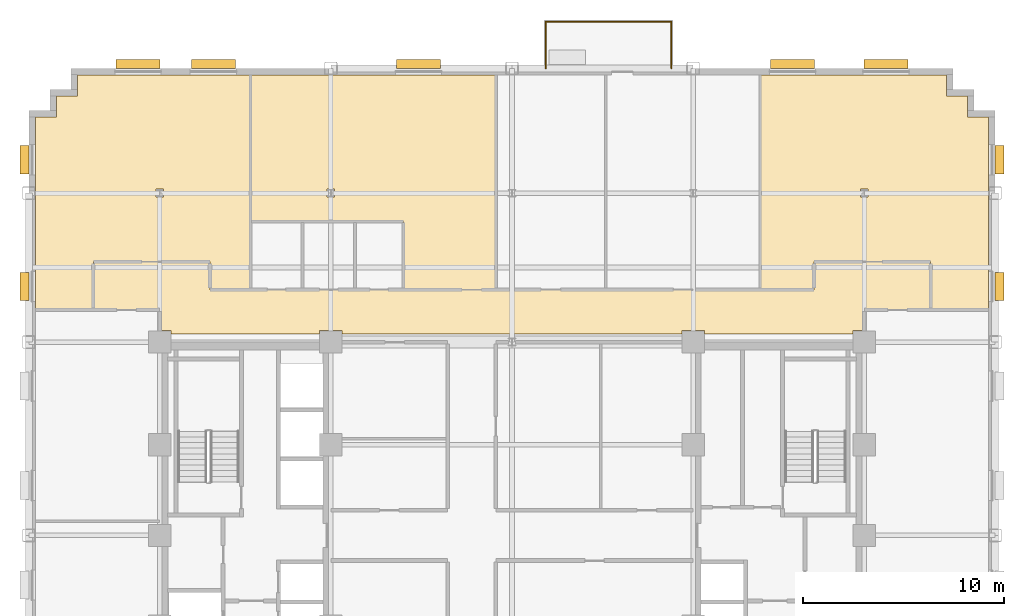
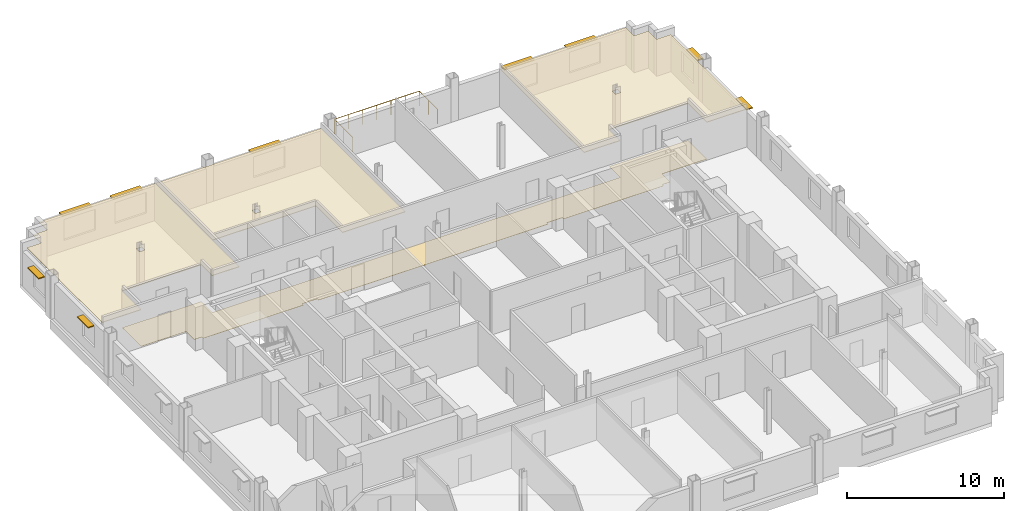
# One storey, part 14 of 14: 9 shading devices, 4 coverings, 1 railing.
"""IFC4 building model written with IfcOpenShell, lengths in metres."""

from ifc_helpers import new_model, si_unit, direction, frame, origin, origin_2d, place, context, subcontext, project, spatial, polyline, rectangle, circle, outline, extrude, source, transform, mapped, material, layer, layer_set, type_object, type_shapes, element, save


model = new_model("IFC4")

# Units and contexts
model_context = context("Model", 3, precision=1e-05, world=origin(), true_north=direction((0.0, 1.0)))
body_context = subcontext(model_context, "Body", "Model", "MODEL_VIEW")
ifc_project = project(units=[si_unit("LENGTHUNIT", "METRE"), si_unit("AREAUNIT", "SQUARE_METRE"), si_unit("VOLUMEUNIT", "CUBIC_METRE"), si_unit("PLANEANGLEUNIT", "RADIAN"), si_unit("MASSUNIT", "GRAM", prefix="KILO")], contexts=[model_context])

# Site, building, storey
site_placement = place(None, origin())
site = spatial("IfcSite", under=ifc_project, at=site_placement, CompositionType="ELEMENT")
building_placement = place(site_placement, origin())
building = spatial("IfcBuilding", under=site, at=building_placement, Name="Nuvemarco Arch Tower", CompositionType="ELEMENT")
storey_placement = place(building_placement, frame((0.0, 0.0, 98.300048828125)))
storey = spatial("IfcBuildingStorey", under=building, at=storey_placement, Name="L25", CompositionType="ELEMENT", Elevation=98.300048828125)

# Coverings
ifc_material_1 = material(Name="Mineral acoustic ceiling tile")
ifc_layer_1 = layer(ifc_material_1, 0.0400390625, Name="COV-ACOUSTIC-CLG")
ifc_layer_set_1 = layer_set([ifc_layer_1], Name="Mineral acoustic ceiling tile")
covering_type_1 = type_object("IfcCoveringType", Name="COV-ACOUSTIC-CLG", PredefinedType="CEILING", material=ifc_layer_set_1)
covering_1_placement = place(storey_placement, frame((0.0, 0.0, 2.849853515625)))
element("IfcCovering", 1, at=covering_1_placement, inside=storey, type_object=covering_type_1, Name="L25 suspended acoustic ceiling 1", PredefinedType="CEILING", context=body_context, shape_type="SweptSolid", body=[
    extrude(outline(polyline([(23.679931640625, 20.780029296875), (23.679931640625, 17.340087890625), (23.659912109375, 17.340087890625), (23.659912109375, 16.659912109375), (23.679931640625, 16.659912109375), (23.679931640625, 11.199951171875), (20.800048828125, 11.199951171875), (20.800048828125, 13.60009765625), (15.0, 13.60009765625), (15.0, 12.199951171875), (12.340087890625, 12.199951171875), (12.340087890625, 22.8798828125), (21.580078125, 22.8798828125), (21.580078125, 21.830078125), (22.6298828125, 21.830078125), (22.6298828125, 20.780029296875), (23.679931640625, 20.780029296875)]), holes=[polyline([(17.695068359375, 16.804931640625), (17.695068359375, 17.195068359375), (17.304931640625, 17.195068359375), (17.304931640625, 16.804931640625), (17.695068359375, 16.804931640625)])]), origin(), (0.0, 0.0, 1.0), 0.0400390625),
])
covering_2_placement = place(storey_placement, frame((0.0, 0.0, 2.849853515625)))
element("IfcCovering", 2, at=covering_2_placement, inside=storey, type_object=covering_type_1, Name="L25 suspended acoustic ceiling 2", PredefinedType="CEILING", context=body_context, shape_type="SweptSolid", body=[
    extrude(outline(polyline([(-23.679931640625, 11.199951171875), (-23.679931640625, 16.659912109375), (-23.659912109375, 16.659912109375), (-23.659912109375, 17.340087890625), (-23.679931640625, 17.340087890625), (-23.679931640625, 20.780029296875), (-22.6298828125, 20.780029296875), (-22.6298828125, 21.830078125), (-21.580078125, 21.830078125), (-21.580078125, 22.8798828125), (-13.0, 22.8798828125), (-13.0, 15.60009765625), (-13.0, 12.199951171875), (-15.0, 12.199951171875), (-15.0, 13.60009765625), (-20.800048828125, 13.60009765625), (-20.800048828125, 11.199951171875), (-23.679931640625, 11.199951171875)]), holes=[polyline([(-17.304931640625, 16.804931640625), (-17.304931640625, 17.195068359375), (-17.695068359375, 17.195068359375), (-17.695068359375, 16.804931640625), (-17.304931640625, 16.804931640625)])]), origin(), (0.0, 0.0, 1.0), 0.0400390625),
])
covering_3_placement = place(storey_placement, frame((0.0, 0.0, 2.849853515625)))
element("IfcCovering", 3, at=covering_3_placement, inside=storey, type_object=covering_type_1, Name="L25 suspended acoustic ceiling 3", PredefinedType="CEILING", context=body_context, shape_type="SweptSolid", body=[
    extrude(outline(polyline([(-10.39990234375, 15.60009765625), (-13.0, 15.60009765625), (-13.0, 22.8798828125), (-9.340087890625, 22.8798828125), (-9.340087890625, 22.860107421875), (-8.659912109375, 22.860107421875), (-8.659912109375, 22.8798828125), (-0.800048828125, 22.8798828125), (-0.800048828125, 12.199951171875), (-3.199951171875, 12.199951171875), (-5.39990234375, 12.199951171875), (-5.39990234375, 15.60009765625), (-7.800048828125, 15.60009765625), (-10.39990234375, 15.60009765625)]), holes=[polyline([(-8.804931640625, 16.804931640625), (-8.804931640625, 17.195068359375), (-9.195068359375, 17.195068359375), (-9.195068359375, 16.804931640625), (-8.804931640625, 16.804931640625)])]), origin(), (0.0, 0.0, 1.0), 0.0400390625),
])
ifc_material_2 = material(Name="Polished granite terrazzostone flooring", Category="masonry")
ifc_layer_2 = layer(ifc_material_2, 0.02001953125, Name="COV-LOBBY-FLR")
ifc_layer_set_2 = layer_set([ifc_layer_2], Name="Polished granite terrazzostone flooring")
covering_type_2 = type_object("IfcCoveringType", Name="COV-LOBBY-FLR", PredefinedType="FLOORING", material=ifc_layer_set_2)
covering_4_placement = place(storey_placement, origin())
element("IfcCovering", 4, at=covering_4_placement, inside=storey, type_object=covering_type_2, Name="L25 polished terrazzo lobby flooring", PredefinedType="FLOORING", context=body_context, shape_type="SweptSolid", body=[
    extrude(outline(polyline([(-8.43505859375, 10.1650390625), (-9.56494140625, 10.1650390625), (-9.56494140625, 10.0), (-16.93505859375, 10.0), (-16.93505859375, 10.1650390625), (-17.5, 10.1650390625), (-17.5, 11.199951171875), (-20.800048828125, 11.199951171875), (-20.800048828125, 13.60009765625), (-15.0, 13.60009765625), (-15.0, 12.199951171875), (-3.199951171875, 12.199951171875), (-0.800048828125, 12.199951171875), (15.0, 12.199951171875), (15.0, 13.60009765625), (20.800048828125, 13.60009765625), (20.800048828125, 11.199951171875), (17.5, 11.199951171875), (17.5, 10.1650390625), (16.93505859375, 10.1650390625), (16.93505859375, 10.0), (9.56494140625, 10.0), (9.56494140625, 10.1650390625), (8.43505859375, 10.1650390625), (8.43505859375, 10.0), (-8.43505859375, 10.0), (-8.43505859375, 10.1650390625)])), origin(), (0.0, 0.0, 1.0), 0.02001953125),
])

# Railing
ifc_material_3 = material(Name="Dark anodised balustrade steel S355", Category="steel")
railing_type = type_object("IfcRailingType", Name="RL-TERR-GUARD", PredefinedType="BALUSTRADE", material=ifc_material_3)
railing_placement = place(storey_placement, frame((1.679931640625, 23.199951171875, 0.0)))
element("IfcRailing", 5, at=railing_placement, inside=storey, type_object=railing_type, Name="L25 spiral terrace perimeter balustrade guard", PredefinedType="BALUSTRADE", context=body_context, shape_type="SweptSolid", body=[
    extrude(circle(Radius=0.02392578125, at=origin_2d()), frame((0.0, 0.0, 1.1259765625), z_axis=(0.0, 1.0, 0.0), x_axis=(-1.0, 0.0, 0.0)), (0.0, 0.0, 1.0), 2.320068359375),
    extrude(circle(Radius=0.02392578125, at=origin_2d()), frame((0.0, 2.320068359375, 1.1259765625), z_axis=(1.0, 0.0, 0.0), x_axis=(0.0, 1.0, 0.0)), (0.0, 0.0, 1.0), 6.239990234375),
    extrude(circle(Radius=0.02392578125, at=origin_2d()), frame((6.239990234375, 2.320068359375, 1.1259765625), z_axis=(0.0, -1.0, 0.0), x_axis=(1.0, 0.0, 0.0)), (0.0, 0.0, 1.0), 2.320068359375),
    extrude(circle(Radius=0.02099609375, at=origin_2d()), origin(), (0.0, 0.0, 1.0), 1.101806640625),
    extrude(circle(Radius=0.02099609375, at=origin_2d()), frame((0.0, 1.16015625, 0.0)), (0.0, 0.0, 1.0), 1.101806640625),
    extrude(circle(Radius=0.02099609375, at=origin_2d()), frame((0.0, 2.320068359375, 0.0)), (0.0, 0.0, 1.0), 1.101806640625),
    extrude(circle(Radius=0.02099609375, at=origin_2d()), frame((1.0400390625, 2.320068359375, 0.0)), (0.0, 0.0, 1.0), 1.101806640625),
    extrude(circle(Radius=0.02099609375, at=origin_2d()), frame((2.080078125, 2.320068359375, 0.0)), (0.0, 0.0, 1.0), 1.101806640625),
    extrude(circle(Radius=0.02099609375, at=origin_2d()), frame((3.1201171875, 2.320068359375, 0.0)), (0.0, 0.0, 1.0), 1.101806640625),
    extrude(circle(Radius=0.02099609375, at=origin_2d()), frame((4.159912109375, 2.320068359375, 0.0)), (0.0, 0.0, 1.0), 1.101806640625),
    extrude(circle(Radius=0.02099609375, at=origin_2d()), frame((5.199951171875, 2.320068359375, 0.0)), (0.0, 0.0, 1.0), 1.101806640625),
    extrude(circle(Radius=0.02099609375, at=origin_2d()), frame((6.239990234375, 2.320068359375, 0.0)), (0.0, 0.0, 1.0), 1.101806640625),
    extrude(circle(Radius=0.02099609375, at=origin_2d()), frame((6.239990234375, 1.16015625, 0.0)), (0.0, 0.0, 1.0), 1.101806640625),
    extrude(circle(Radius=0.02099609375, at=origin_2d()), frame((6.239990234375, 0.0, 0.0)), (0.0, 0.0, 1.0), 1.101806640625),
])

# Shading devices
ifc_material_4 = material(Name="Anodised aluminium 6063-T6", Category="aluminium")
shading_device_type_1 = type_object("IfcShadingDeviceType", Name="SHD-BRISE-SOLEIL", PredefinedType="USERDEFINED", material=ifc_material_4)
shared_shape_1 = source(origin(), body_context, "Body", "SweptSolid", [
    extrude(rectangle(XDim=2.199951171875, YDim=0.449951171875, at=origin_2d()), origin(), (0.0, 0.0, 1.0), 0.080078125),
])
type_shapes(shading_device_type_1, [shared_shape_1])
for number, where, z_axis, x_axis, name in (
    (6, (-18.577880859375, 23.4150390625, 2.4248046875), (0.0, 0.0, 1.0), (1.0, 0.0, 0.0), "L25 horizontal brise-soleil sunshade"),
    (7, (-14.833251953125, 23.4150390625, 2.4248046875), (0.0, 0.0, 1.0), (1.0, 0.0, 0.0), "L25 horizontal brise-soleil sunshade"),
    (8, (-4.644287109375, 23.4150390625, 2.4248046875), (0.0, 0.0, 1.0), (1.0, 0.0, 0.0), "L25 horizontal brise-soleil sunshade"),
    (9, (13.933349609375, 23.4150390625, 2.4248046875), (0.0, 0.0, 1.0), (1.0, 0.0, 0.0), "L25 horizontal brise-soleil sunshade"),
    (10, (18.577880859375, 23.4150390625, 2.4248046875), (0.0, 0.0, 1.0), (1.0, 0.0, 0.0), "L25 horizontal brise-soleil sunshade"),
):
    element("IfcShadingDevice", number, at=place(storey_placement, frame(where, z_axis=z_axis, x_axis=x_axis)), inside=storey, type_object=shading_device_type_1, Name=name, ObjectType="SUNSHADE", PredefinedType="USERDEFINED", context=body_context, shape_type="MappedRepresentation", body=[
        mapped(shared_shape_1, transform((0.0, 0.0, 0.0), scale=1.0)),
    ])
shading_device_type_2 = type_object("IfcShadingDeviceType", Name="SHD-BRISE-NARROW", PredefinedType="USERDEFINED", material=ifc_material_4)
shared_shape_2 = source(origin(), body_context, "Body", "SweptSolid", [
    extrude(rectangle(XDim=1.39990234375, YDim=0.449951171875, at=origin_2d()), origin(), (0.0, 0.0, 1.0), 0.080078125),
])
type_shapes(shading_device_type_2, [shared_shape_2])
for number, where, z_axis, x_axis, name in (
    (11, (24.215087890625, 12.364990234375, 2.405029296875), (0.0, 0.0, 1.0), (0.0, 1.0, 0.0), "L25 horizontal brise-soleil sunshade"),
    (12, (24.215087890625, 18.660888671875, 2.405029296875), (0.0, 0.0, 1.0), (0.0, 1.0, 0.0), "L25 horizontal brise-soleil sunshade"),
    (13, (-24.215087890625, 12.364990234375, 2.405029296875), (0.0, 0.0, 1.0), (0.0, 1.0, 0.0), "L25 horizontal brise-soleil sunshade"),
    (14, (-24.215087890625, 18.660888671875, 2.405029296875), (0.0, 0.0, 1.0), (0.0, 1.0, 0.0), "L25 horizontal brise-soleil sunshade"),
):
    element("IfcShadingDevice", number, at=place(storey_placement, frame(where, z_axis=z_axis, x_axis=x_axis)), inside=storey, type_object=shading_device_type_2, Name=name, ObjectType="SUNSHADE", PredefinedType="USERDEFINED", context=body_context, shape_type="MappedRepresentation", body=[
        mapped(shared_shape_2, transform((0.0, 0.0, 0.0), scale=1.0)),
    ])

save(model, "model.ifc")
